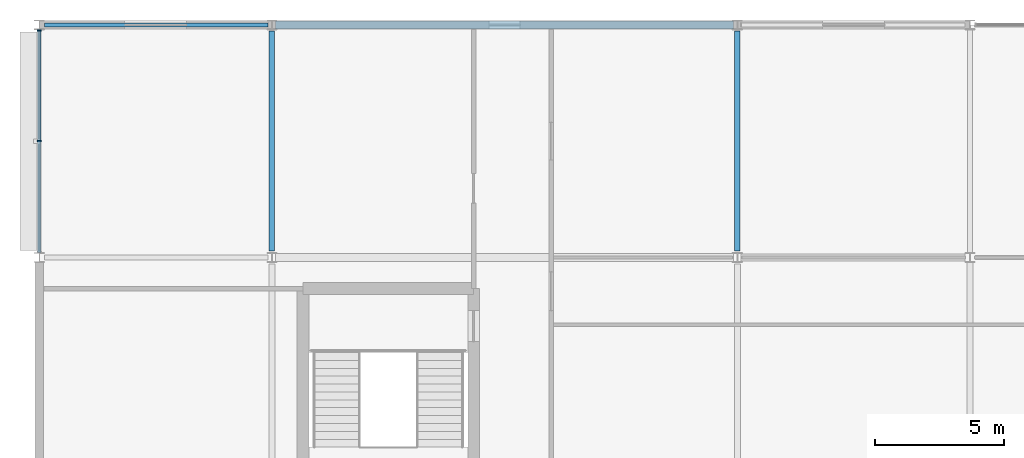
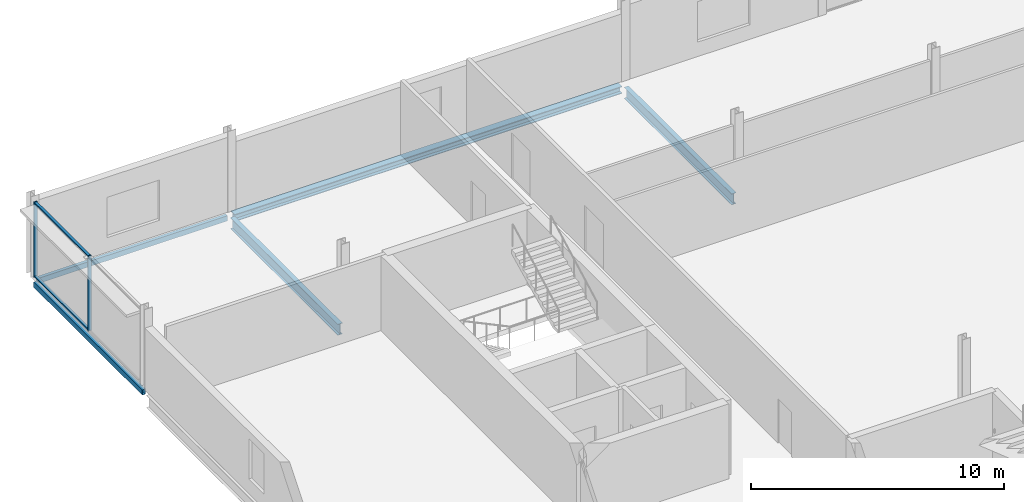
# One storey, part 33 of 98: 5 beams, 4 members, 1 element without a shape of its own.
"""IFC4 building model written with IfcOpenShell, lengths in metres."""

from ifc_helpers import new_model, si_unit, direction, frame, origin, origin_2d, place, context, subcontext, project, spatial, rectangle, hollow_rectangle, i_section, extrude, material, layer, layer_set, material_profile, profile_set, type_object, element, aggregate, save


model = new_model("IFC4")

# Units and contexts
model_context = context("Model", 3, precision=1e-05, world=origin(), true_north=direction((0.0, 1.0)))
body_context = subcontext(model_context, "Body", "Model", "MODEL_VIEW")
ifc_project = project(units=[si_unit("LENGTHUNIT", "METRE"), si_unit("AREAUNIT", "SQUARE_METRE"), si_unit("VOLUMEUNIT", "CUBIC_METRE"), si_unit("PLANEANGLEUNIT", "RADIAN"), si_unit("MASSUNIT", "GRAM", prefix="KILO")], contexts=[model_context])

# Site, building, storey
site_placement = place(None, origin())
site = spatial("IfcSite", under=ifc_project, at=site_placement, CompositionType="ELEMENT")
building_placement = place(site_placement, origin())
building = spatial("IfcBuilding", under=site, at=building_placement, Name="Kisiwana Market Hall", CompositionType="ELEMENT")
storey_placement = place(building_placement, frame((0.0, 0.0, 29.39990234375)))
storey = spatial("IfcBuildingStorey", under=building, at=storey_placement, Name="L06", CompositionType="ELEMENT", Elevation=29.39990234375)

# Beams
ifc_material_1 = material(Name="Steel S355", Category="steel")
ifc_material_profile_1 = material_profile(ifc_material_1, i_section(OverallWidth=0.209228515625, OverallDepth=0.533203125, WebThickness=0.010009765625, FlangeThickness=0.015625, at=origin_2d()), Name="UB 533x210x92")
ifc_profile_set_1 = profile_set([ifc_material_profile_1], Name="Steel S355")
beam_type_1 = type_object("IfcBeamType", Name="BM-GIRD-UB533", PredefinedType="BEAM", material=ifc_profile_set_1)
for number, where, z_axis, x_axis, name in (
    (1, (9.0, 102.24609375, -0.511474609375), (0.0, 1.0, 0.0), (-1.0, 0.0, 0.0), "Primary girder B-1706"),
    (2, (27.0, 102.24609375, -0.511474609375), (0.0, 1.0, 0.0), (-1.0, 0.0, 0.0), "Primary girder B-1710"),
):
    element("IfcBeam", number, at=place(storey_placement, frame(where, z_axis=z_axis, x_axis=x_axis)), inside=storey, type_object=beam_type_1, Name=name, PredefinedType="BEAM", context=body_context, shape_type="SweptSolid", body=[
        extrude(i_section(OverallWidth=0.209228515625, OverallDepth=0.533203125, WebThickness=0.010009765625, FlangeThickness=0.015625, at=origin_2d()), origin(), (0.0, 0.0, 1.0), 8.5078125),
    ])
ifc_material_2 = material(Name="Steel S355", Category="steel")
ifc_material_profile_2 = material_profile(ifc_material_2, i_section(OverallWidth=0.314453125, OverallDepth=0.33984375, WebThickness=0.01904296875, FlangeThickness=0.031494140625, at=origin_2d()), Name="UC 305x305x198")
ifc_profile_set_2 = profile_set([ifc_material_profile_2], Name="Steel S355")
beam_type_2 = type_object("IfcBeamType", Name="BM-SKYBR-CHORD", PredefinedType="BEAM", material=ifc_profile_set_2)
beam_1_placement = place(storey_placement, frame((9.14599609375, 111.0, -0.414794921875), z_axis=(1.0, 0.0, 0.0), x_axis=(0.0, 1.0, 0.0)))
element("IfcBeam", 3, at=beam_1_placement, inside=storey, type_object=beam_type_2, Name="Floor beam B-1842", PredefinedType="BEAM", context=body_context, shape_type="SweptSolid", body=[
    extrude(i_section(OverallWidth=0.314453125, OverallDepth=0.33984375, WebThickness=0.01904296875, FlangeThickness=0.031494140625, at=origin_2d()), origin(), (0.0, 0.0, 1.0), 17.7080078125),
])
ifc_material_3 = material(Name="Steel S355", Category="steel")
ifc_material_profile_3 = material_profile(ifc_material_3, hollow_rectangle(XDim=0.14990234375, YDim=0.25, WallThickness=0.010009765625, at=origin_2d()), Name="RHS 250x150x10.0")
ifc_profile_set_3 = profile_set([ifc_material_profile_3], Name="Steel S355")
beam_type_3 = type_object("IfcBeamType", Name="BM-SPAN-RHS250", PredefinedType="SPANDREL", material=ifc_profile_set_3)
beam_2_placement = place(storey_placement, frame((0.19921875, 111.0, -0.369873046875), z_axis=(1.0, 0.0, 0.0), x_axis=(0.0, 1.0, 0.0)))
element("IfcBeam", 4, at=beam_2_placement, inside=storey, type_object=beam_type_3, Name="Floor beam B-1841", PredefinedType="SPANDREL", context=body_context, shape_type="SweptSolid", body=[
    extrude(hollow_rectangle(XDim=0.14990234375, YDim=0.25, WallThickness=0.010009765625, at=origin_2d()), origin(), (0.0, 0.0, 1.0), 8.65478515625),
])
beam_3_placement = place(storey_placement, frame((0.0, 102.19921875, -0.369873046875), z_axis=(0.0, 1.0, 0.0), x_axis=(-1.0, 0.0, 0.0)))
element("IfcBeam", 5, at=beam_3_placement, inside=storey, type_object=beam_type_3, Name="Floor beam B-1854", PredefinedType="SPANDREL", context=body_context, shape_type="SweptSolid", body=[
    extrude(hollow_rectangle(XDim=0.14990234375, YDim=0.25, WallThickness=0.010009765625, at=origin_2d()), origin(), (0.0, 0.0, 1.0), 8.6015625),
])

# Curtain wall, members
ifc_material_4 = material(Name="Double-glazed solar-control low-E IGU", Category="glass")
ifc_layer = layer(ifc_material_4, 0.159912109375)
ifc_layer_set = layer_set([ifc_layer], Name="CW-ZNA-EW-8200")
curtain_wall_type = type_object("IfcCurtainWallType", Name="CW-ZNA-EW-8200", PredefinedType="USERDEFINED", material=ifc_layer_set)
curtain_wall_placement = place(storey_placement, origin())
curtain_wall = element("IfcCurtainWall", 6, at=curtain_wall_placement, inside=storey, type_object=curtain_wall_type, Name="Unitised curtain wall CW-199 (L06)", ObjectType="UNITISED CURTAIN WALL", PredefinedType="USERDEFINED")
ifc_material_5 = material(Name="Aluminium alloy 6063-T6", Category="aluminium")
ifc_material_profile_4 = material_profile(ifc_material_5, rectangle(XDim=0.06005859375, YDim=0.159912109375, at=origin_2d()), Name="ALU MULLION 60x160")
ifc_profile_set_4 = profile_set([ifc_material_profile_4], Name="Aluminium alloy 6063-T6")
member_type_1 = type_object("IfcMemberType", Name="CW-MULL-60x160", PredefinedType="MULLION", material=ifc_profile_set_4)
member_1_placement = place(storey_placement, frame((0.0, 106.5, 0.0), z_axis=(0.0, 0.0, 1.0), x_axis=(0.0, 1.0, 0.0)))
member_1 = element("IfcMember", 7, at=member_1_placement, type_object=member_type_1, Name="CW-199 mullion 2", PredefinedType="MULLION", context=body_context, shape_type="SweptSolid", body=[
    extrude(rectangle(XDim=0.06005859375, YDim=0.159912109375, at=origin_2d()), origin(), (0.0, 0.0, 1.0), 3.6201171875),
])
member_2_placement = place(storey_placement, frame((0.0, 110.7890625, 0.0), z_axis=(0.0, 0.0, 1.0), x_axis=(0.0, 1.0, 0.0)))
member_2 = element("IfcMember", 8, at=member_2_placement, type_object=member_type_1, Name="CW-199 mullion 3", PredefinedType="MULLION", context=body_context, shape_type="SweptSolid", body=[
    extrude(rectangle(XDim=0.06005859375, YDim=0.159912109375, at=origin_2d()), origin(), (0.0, 0.0, 1.0), 3.6201171875),
])
ifc_material_6 = material(Name="Aluminium alloy 6063-T6", Category="aluminium")
ifc_material_profile_5 = material_profile(ifc_material_6, rectangle(XDim=0.1201171875, YDim=0.06005859375, at=origin_2d()), Name="ALU TRANSOM 60x120")
ifc_profile_set_5 = profile_set([ifc_material_profile_5], Name="Aluminium alloy 6063-T6")
member_type_2 = type_object("IfcMemberType", Name="CW-TRAN-60x120", PredefinedType="USERDEFINED", material=ifc_profile_set_5)
member_3_placement = place(storey_placement, frame((0.0, 106.530029296875, 0.030029296875), z_axis=(0.0, 1.0, 0.0), x_axis=(-1.0, 0.0, 0.0)))
member_3 = element("IfcMember", 9, at=member_3_placement, type_object=member_type_2, Name="CW-199 transom 2.1", ObjectType="TRANSOM", PredefinedType="USERDEFINED", context=body_context, shape_type="SweptSolid", body=[
    extrude(rectangle(XDim=0.1201171875, YDim=0.06005859375, at=origin_2d()), origin(), (0.0, 0.0, 1.0), 4.22900390625),
])
member_4_placement = place(storey_placement, frame((0.0, 106.530029296875, 3.590087890625), z_axis=(0.0, 1.0, 0.0), x_axis=(-1.0, 0.0, 0.0)))
member_4 = element("IfcMember", 10, at=member_4_placement, type_object=member_type_2, Name="CW-199 transom 2.2", ObjectType="TRANSOM", PredefinedType="USERDEFINED", context=body_context, shape_type="SweptSolid", body=[
    extrude(rectangle(XDim=0.1201171875, YDim=0.06005859375, at=origin_2d()), origin(), (0.0, 0.0, 1.0), 4.22900390625),
])
aggregate(curtain_wall, [member_1, member_2, member_3, member_4])

save(model, "model.ifc")
